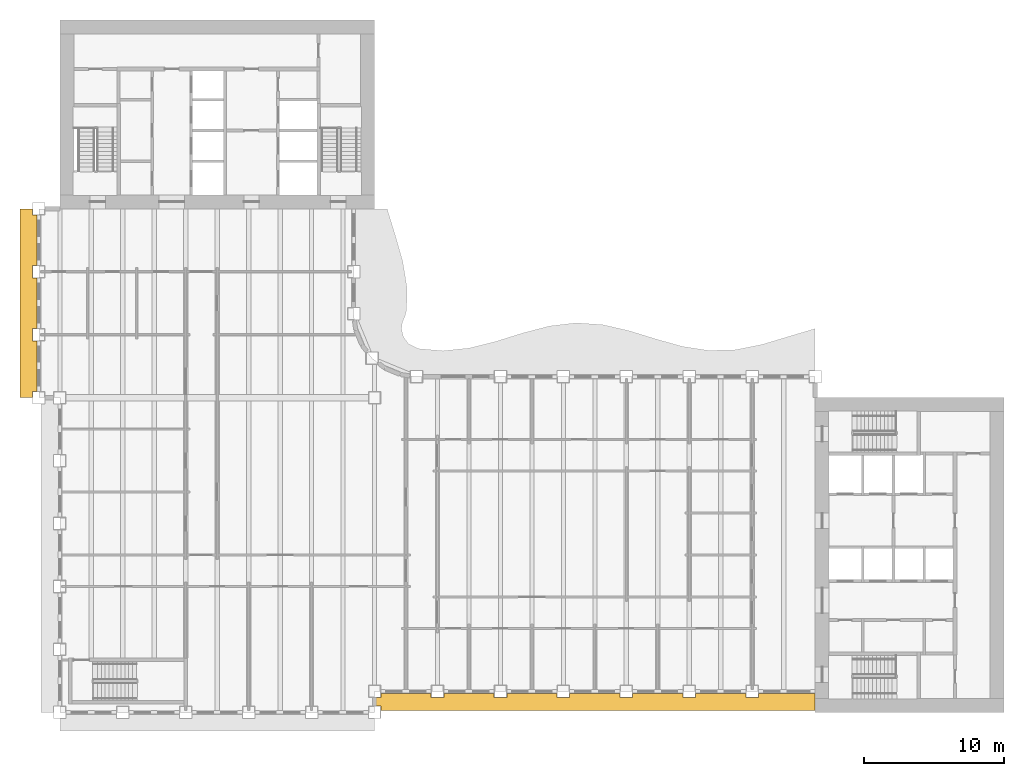
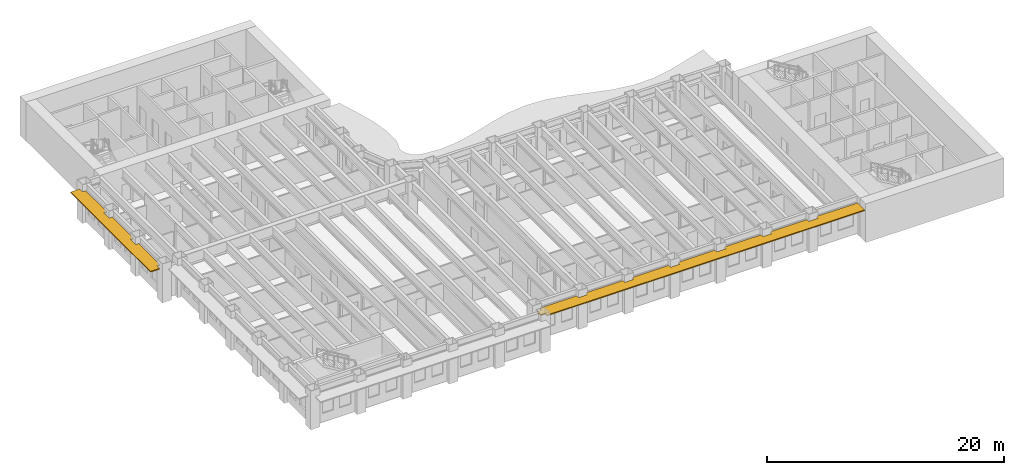
# One storey, part 12 of 16: 2 shading devices.
"""IFC4 building model written with IfcOpenShell, lengths in metres."""

import ifcopenshell
import ifcopenshell.guid

model = None  # the IFC model being written
_history = None  # IfcOwnerHistory: only IFC2X3 demands one
_inside = {}  # id of a spatial element -> (the spatial element, [elements in it])
_under = {}  # id of a project, library or spatial element -> (it, [spatial elements below it])
_declared = {}  # id of a project -> (the project, [libraries it declares])
_typed = {}  # id of a type object -> (the type object, [elements of that type])
_made_of = {}  # id of a material, layer set ... -> (it, [elements and type objects made of it])


def new_model(schema):
    """Start an empty IFC model of exactly this schema.

    Asked for "IFC4X3", IfcOpenShell would pick the latest addendum, in which some entities
    have other attributes; the version numbers below select the first issue.
    IFC2X3 requires an IfcOwnerHistory on every rooted entity: one is made here for all.
    """
    global model, _history
    if schema == "IFC4X3":
        model = ifcopenshell.file(schema_version=(4, 3, 0, 0))
    else:
        model = ifcopenshell.file(schema=schema)
    _inside.clear()
    _under.clear()
    _declared.clear()
    _typed.clear()
    _made_of.clear()
    _history = None
    if model.schema == "IFC2X3":
        org = make("IfcOrganization", Name="unknown")
        user = make(
            "IfcPersonAndOrganization",
            ThePerson=make("IfcPerson", FamilyName="unknown"),
            TheOrganization=org,
        )
        app = make(
            "IfcApplication",
            ApplicationDeveloper=org,
            Version="unknown",
            ApplicationFullName="unknown",
            ApplicationIdentifier="unknown",
        )
        _history = make(
            "IfcOwnerHistory",
            OwningUser=user,
            OwningApplication=app,
            ChangeAction="ADDED",
            CreationDate=0,
        )
    return model


def make(cls, **values):
    """One entity of the class cls with the attributes given. An attribute that is None is left unset."""
    return model.create_entity(
        cls, **{name: value for name, value in values.items() if value is not None}
    )


def rooted(cls, **values):
    """An entity with a GlobalId (a new one), such as an element, a storey or a relation."""
    return make(cls, GlobalId=ifcopenshell.guid.new(), OwnerHistory=_history, **values)


def si_unit(unit_type, name, prefix=None):
    """IfcSIUnit, for example si_unit("LENGTHUNIT", "METRE", prefix="MILLI")."""
    return make("IfcSIUnit", UnitType=unit_type, Prefix=prefix, Name=name)


def assignment(units):
    """IfcUnitAssignment: the units of a project."""
    return None if units is None else make("IfcUnitAssignment", Units=units)


def point(xyz):
    """IfcCartesianPoint."""
    return None if xyz is None else make("IfcCartesianPoint", Coordinates=xyz)


def direction(xyz):
    """IfcDirection."""
    return None if xyz is None else make("IfcDirection", DirectionRatios=xyz)


def frame(location, z_axis=None, x_axis=None):
    """IfcAxis2Placement3D, a coordinate frame: its origin and axes. An axis left out is left unset."""
    return make(
        "IfcAxis2Placement3D",
        Location=point(location),
        Axis=direction(z_axis),
        RefDirection=direction(x_axis),
    )


def origin():
    """The frame at (0, 0, 0) with its axes left unset."""
    return frame((0.0, 0.0, 0.0))


def place(relative_to, where):
    """IfcLocalPlacement: puts the frame where relative to a parent placement (None: the world)."""
    return make(
        "IfcLocalPlacement", PlacementRelTo=relative_to, RelativePlacement=where
    )


def context(
    kind, dimensions, precision=None, world=None, true_north=None, identifier=None
):
    """IfcGeometricRepresentationContext, for example the 3D "Model" context."""
    return make(
        "IfcGeometricRepresentationContext",
        ContextIdentifier=identifier,
        ContextType=kind,
        CoordinateSpaceDimension=dimensions,
        Precision=precision,
        WorldCoordinateSystem=world,
        TrueNorth=true_north,
    )


def subcontext(parent, identifier, kind, view, scale=None):
    """IfcGeometricRepresentationSubContext, for example "Body" below "Model"."""
    return make(
        "IfcGeometricRepresentationSubContext",
        ContextIdentifier=identifier,
        ContextType=kind,
        ParentContext=parent,
        TargetScale=scale,
        TargetView=view,
    )


def project(units=None, contexts=None):
    """IfcProject with its units and contexts."""
    return rooted(
        "IfcProject",
        Name="project",
        RepresentationContexts=contexts,
        UnitsInContext=assignment(units),
    )


def spatial(cls, under=None, at=None, **own):
    """A site, building, storey or space (cls), placed at a placement, below another one or the project."""
    s = rooted(cls, ObjectPlacement=at, **own)
    if under is not None:
        _under.setdefault(under.id(), (under, []))[1].append(s)
    return s


def polyline(points):
    """IfcPolyline through the points."""
    return make("IfcPolyline", Points=[point(p) for p in points])


def outline(outer, holes=None, kind="AREA"):
    """IfcArbitraryClosedProfileDef: a profile drawn as a closed curve; with holes, ...WithVoids."""
    if holes is None:
        return make("IfcArbitraryClosedProfileDef", ProfileType=kind, OuterCurve=outer)
    return make(
        "IfcArbitraryProfileDefWithVoids",
        ProfileType=kind,
        OuterCurve=outer,
        InnerCurves=holes,
    )


def extrude(swept, where, along, depth):
    """IfcExtrudedAreaSolid: the profile swept, set in the frame where, extruded along a direction by depth."""
    return make(
        "IfcExtrudedAreaSolid",
        SweptArea=swept,
        Position=where,
        ExtrudedDirection=direction(along),
        Depth=depth,
    )


def shape(context_of_items, identifier, shape_type, items):
    """IfcShapeRepresentation: the items that make up one representation, for example the "Body"."""
    return make(
        "IfcShapeRepresentation",
        ContextOfItems=context_of_items,
        RepresentationIdentifier=identifier,
        RepresentationType=shape_type,
        Items=items,
    )


def material(Name=None, Category=None):
    """IfcMaterial."""
    return make("IfcMaterial", Name=Name, Category=Category)


def layer(
    of_material, thickness, ventilated=None, Name=None, Category=None, Priority=None
):
    """IfcMaterialLayer: one layer of a wall or slab, of a material (None: an air gap)."""
    return make(
        "IfcMaterialLayer",
        Material=of_material,
        LayerThickness=thickness,
        IsVentilated=ventilated,
        Name=Name,
        Category=Category,
        Priority=Priority,
    )


def layer_set(layers, Name=None):
    """IfcMaterialLayerSet."""
    return make("IfcMaterialLayerSet", MaterialLayers=layers, LayerSetName=Name)


def made_of(thing, what):
    """Note that an element or type object is made of a material, layer set ...; save() writes the relation."""
    if what is not None:
        _made_of.setdefault(what.id(), (what, []))[1].append(thing)
    return thing


def type_object(cls, material=None, **own):
    """A type object (cls), such as IfcWallType, which elements share."""
    return made_of(rooted(cls, **own), material)


def element(
    cls,
    number,
    at=None,
    inside=None,
    cuts=None,
    type_object=None,
    material=None,
    context=None,
    identifier="Body",
    shape_type=None,
    held_by="IfcProductDefinitionShape",
    body=None,
    shapes=None,
    **own,
):
    """One element of the class cls, such as IfcWall. Its Tag is "e" and its number.

    at: its placement. inside: the storey or other place that contains it. cuts: it is an
    opening in that element (IfcRelVoidsElement). A single representation is given by context,
    identifier, shape_type and body (its items); several are given by shapes. held_by: the class
    of the entity that holds the representations. save() writes the other relations.
    """
    e = rooted(cls, Tag="e%d" % number, ObjectPlacement=at, **own)
    if body is not None:
        shapes = [shape(context, identifier, shape_type, body)]
    if shapes is not None:
        e.Representation = make(held_by, Representations=shapes)
    if inside is not None:
        _inside.setdefault(inside.id(), (inside, []))[1].append(e)
    if cuts is not None:
        rooted(
            "IfcRelVoidsElement", RelatingBuildingElement=cuts, RelatedOpeningElement=e
        )
    if type_object is not None:
        _typed.setdefault(type_object.id(), (type_object, []))[1].append(e)
    return made_of(e, material)


def aggregate(whole, parts):
    """IfcRelAggregates: a whole, such as a stair, and the parts it consists of."""
    return rooted("IfcRelAggregates", RelatingObject=whole, RelatedObjects=parts)


def save(model, path):
    """Write the relations noted so far, then the file.

    IfcRelAggregates (storeys below a building ...), IfcRelContainedInSpatialStructure (elements
    in a storey), IfcRelDefinesByType, IfcRelAssociatesMaterial and IfcRelDeclares: one each for
    every whole, place, type object, material and project.
    """
    for whole, parts in _under.values():
        aggregate(whole, parts)
    for where, things in _inside.values():
        rooted(
            "IfcRelContainedInSpatialStructure",
            RelatedElements=things,
            RelatingStructure=where,
        )
    for kind, things in _typed.values():
        rooted("IfcRelDefinesByType", RelatedObjects=things, RelatingType=kind)
    for what, things in _made_of.values():
        rooted("IfcRelAssociatesMaterial", RelatedObjects=things, RelatingMaterial=what)
    for by, libraries in _declared.values():
        rooted("IfcRelDeclares", RelatingContext=by, RelatedDefinitions=libraries)
    model.write(path)


model = new_model("IFC4")

# Units and contexts
model_context = context("Model", 3, precision=1e-05, world=origin(), true_north=direction((0.0, 1.0)))
body_context = subcontext(model_context, "Body", "Model", "MODEL_VIEW")
ifc_project = project(units=[si_unit("LENGTHUNIT", "METRE"), si_unit("AREAUNIT", "SQUARE_METRE"), si_unit("VOLUMEUNIT", "CUBIC_METRE"), si_unit("PLANEANGLEUNIT", "RADIAN"), si_unit("MASSUNIT", "GRAM", prefix="KILO")], contexts=[model_context])

# Site, building, storey
site_placement = place(None, origin())
site = spatial("IfcSite", under=ifc_project, at=site_placement, CompositionType="ELEMENT")
building_placement = place(site_placement, origin())
building = spatial("IfcBuilding", under=site, at=building_placement, Name="Sennacour Bend Tower", CompositionType="ELEMENT")
storey_placement = place(building_placement, frame((0.0, 0.0, 163.0)))
storey = spatial("IfcBuildingStorey", under=building, at=storey_placement, Name="L37", CompositionType="ELEMENT", Elevation=163.0)

# Shading devices
ifc_material = material(Name="Bronze anodised aluminium", Category="aluminium")
ifc_layer = layer(ifc_material, 0.10009765625, Name="Bronze anodised aluminium", Category="aluminium")
ifc_layer_set = layer_set([ifc_layer], Name="Bronze anodised aluminium")
shading_device_type = type_object("IfcShadingDeviceType", Name="SUNSHADE BAND STRAIGHT", PredefinedType="USERDEFINED", material=ifc_layer_set)
shading_device_1_placement = place(storey_placement, frame((0.0, 0.0, 3.049072265625)))
element("IfcShadingDevice", 1, at=shading_device_1_placement, inside=storey, type_object=shading_device_type, Name="Sunshade band L37 A outer face", ObjectType="SUNSHADE", PredefinedType="USERDEFINED", context=body_context, shape_type="SweptSolid", body=[
    extrude(outline(polyline([(26.550048828125, 1.35009765625), (26.550048828125, 1.050048828125), (27.449951171875, 1.050048828125), (27.449951171875, 1.35009765625), (31.050048828125, 1.35009765625), (31.050048828125, 1.050048828125), (31.949951171875, 1.050048828125), (31.949951171875, 1.35009765625), (35.550048828125, 1.35009765625), (35.550048828125, 1.050048828125), (36.449951171875, 1.050048828125), (36.449951171875, 1.35009765625), (40.050048828125, 1.35009765625), (40.050048828125, 1.050048828125), (40.949951171875, 1.050048828125), (40.949951171875, 1.35009765625), (44.550048828125, 1.35009765625), (44.550048828125, 1.050048828125), (45.449951171875, 1.050048828125), (45.449951171875, 1.35009765625), (49.050048828125, 1.35009765625), (49.050048828125, 1.050048828125), (49.949951171875, 1.050048828125), (49.949951171875, 1.35009765625), (54.0, 1.35009765625), (54.0, 0.14990234375), (22.949951171875, 0.14990234375), (22.949951171875, 0.449951171875), (22.5, 0.449951171875), (22.5, 1.050048828125), (22.949951171875, 1.050048828125), (22.949951171875, 1.35009765625), (26.550048828125, 1.35009765625)])), origin(), (0.0, 0.0, 1.0), 0.099853515625),
])
shading_device_2_placement = place(storey_placement, frame((0.0, 0.0, 3.049072265625)))
element("IfcShadingDevice", 2, at=shading_device_2_placement, inside=storey, type_object=shading_device_type, Name="Sunshade band L37 B outer face", ObjectType="SUNSHADE", PredefinedType="USERDEFINED", context=body_context, shape_type="SweptSolid", body=[
    extrude(outline(polyline([(-1.64990234375, 31.949951171875), (-1.949951171875, 31.949951171875), (-1.949951171875, 31.050048828125), (-1.64990234375, 31.050048828125), (-1.64990234375, 27.449951171875), (-1.949951171875, 27.449951171875), (-1.949951171875, 26.550048828125), (-1.64990234375, 26.550048828125), (-1.64990234375, 22.949951171875), (-1.949951171875, 22.949951171875), (-1.949951171875, 22.5), (-2.85009765625, 22.5), (-2.85009765625, 36.0), (-1.949951171875, 36.0), (-1.949951171875, 35.550048828125), (-1.64990234375, 35.550048828125), (-1.64990234375, 31.949951171875)])), origin(), (0.0, 0.0, 1.0), 0.099853515625),
])

save(model, "model.ifc")
